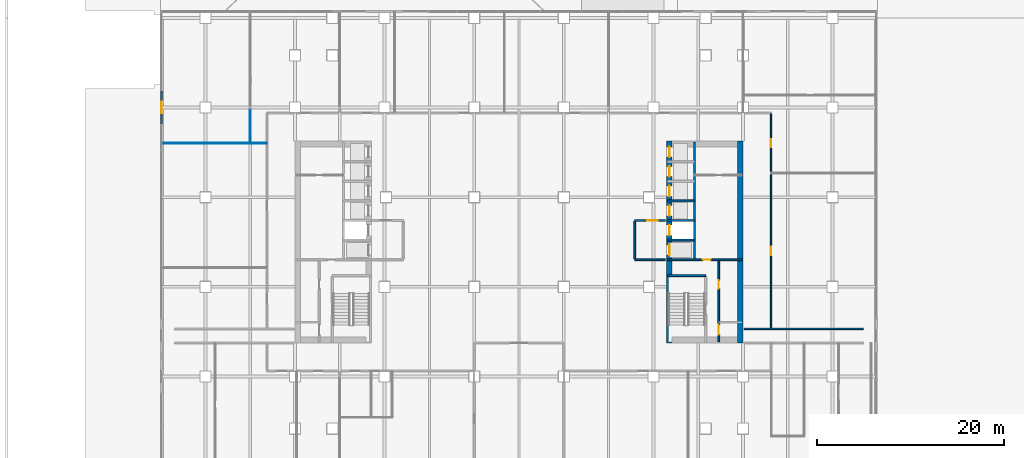
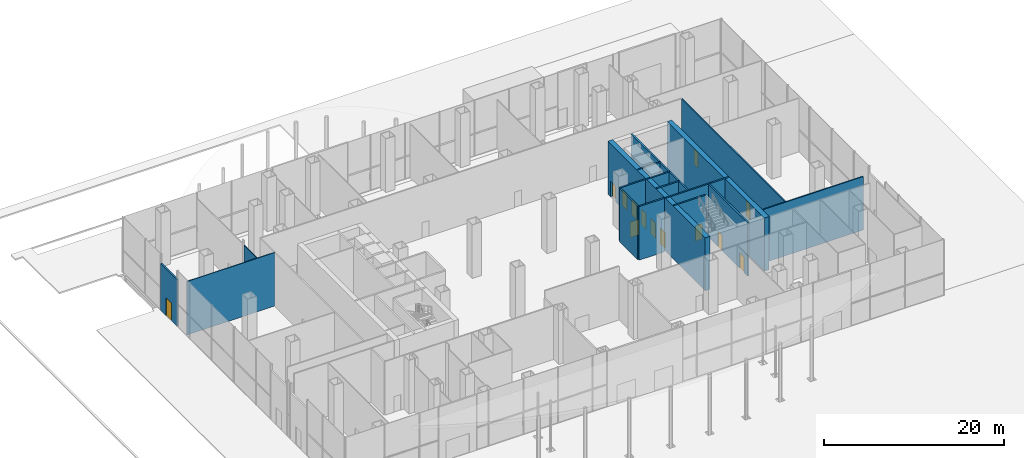
# One storey, part 28 of 36: 17 walls, 13 doors, 13 openings.
"""IFC4 building model written with IfcOpenShell, lengths in metres."""

from ifc_helpers import new_model, si_unit, direction, frame, frame_2d, origin, place, context, subcontext, project, spatial, rectangle, extrude, material, layer, layer_set, type_object, element, fill, save


model = new_model("IFC4")

# Units and contexts
model_context = context("Model", 3, precision=1e-05, world=origin(), true_north=direction((0.0, 1.0)))
body_context = subcontext(model_context, "Body", "Model", "MODEL_VIEW")
ifc_project = project(units=[si_unit("LENGTHUNIT", "METRE"), si_unit("AREAUNIT", "SQUARE_METRE"), si_unit("VOLUMEUNIT", "CUBIC_METRE"), si_unit("PLANEANGLEUNIT", "RADIAN"), si_unit("MASSUNIT", "GRAM", prefix="KILO")], contexts=[model_context])

# Site, building, storey
site_placement = place(None, origin())
site = spatial("IfcSite", under=ifc_project, at=site_placement, CompositionType="ELEMENT")
building_placement = place(site_placement, origin())
building = spatial("IfcBuilding", under=site, at=building_placement, Name="Cobrizo Arcos Hotel Tower", CompositionType="ELEMENT")
storey_placement = place(building_placement, origin())
storey = spatial("IfcBuildingStorey", under=building, at=storey_placement, Name="L00", CompositionType="ELEMENT", Elevation=0.0)

# Wall
ifc_material_1 = material(Name="Gypsum board partition")
ifc_layer_1 = layer(ifc_material_1, 0.14990234375)
ifc_layer_set_1 = layer_set([ifc_layer_1], Name="Corridor wall EI 60 150")
wall_type_1 = type_object("IfcWallType", Name="Corridor wall EI 60 150", PredefinedType="PARTITIONING", material=ifc_layer_set_1)
wall_1_placement = place(storey_placement, frame((24.1201171875, -9.300048828125, 0.0), z_axis=(0.0, 0.0, 1.0), x_axis=(1.0, 0.0, 0.0)))
element("IfcWall", 1, at=wall_1_placement, inside=storey, type_object=wall_type_1, Name="Partition 010", PredefinedType="PARTITIONING", context=body_context, shape_type="SweptSolid", body=[
    extrude(rectangle(XDim=12.77978515625, YDim=0.14990234375, at=frame_2d((6.389892578125, 0.0))), origin(), (0.0, 0.0, 1.0), 7.25),
])

# Wall, openings, doors
wall_2_placement = place(storey_placement, frame((27.0, -9.22509765625, 0.0), z_axis=(0.0, 0.0, 1.0), x_axis=(0.0, 1.0, 0.0)))
wall_2 = element("IfcWall", 2, at=wall_2_placement, inside=storey, type_object=wall_type_1, Name="Partition 080", PredefinedType="PARTITIONING", context=body_context, shape_type="SweptSolid", body=[
    extrude(rectangle(XDim=22.9501953125, YDim=0.14990234375, at=frame_2d((11.47509765625, 0.0))), origin(), (0.0, 0.0, 1.0), 7.25),
])
opening_1_placement = place(wall_2_placement, frame((7.800048828125, 0.0, 0.0)))
opening_1 = element("IfcOpeningElement", 3, at=opening_1_placement, cuts=wall_2, Name="Opening RD-14", PredefinedType="OPENING", context=body_context, shape_type="SweptSolid", body=[
    extrude(rectangle(XDim=0.89990234375, YDim=2.10009765625, at=frame_2d((0.449951171875, 1.050048828125))), frame((0.0, 0.0869140625, 0.0), z_axis=(0.0, -1.0, 0.0), x_axis=(1.0, 0.0, 0.0)), (0.0, 0.0, 1.0), 0.173828125),
])
opening_2_placement = place(wall_2_placement, frame((19.35009765625, 0.0, 0.0)))
opening_2 = element("IfcOpeningElement", 4, at=opening_2_placement, cuts=wall_2, Name="Opening RD-16", PredefinedType="OPENING", context=body_context, shape_type="SweptSolid", body=[
    extrude(rectangle(XDim=0.89990234375, YDim=2.10009765625, at=frame_2d((0.449951171875, 1.050048828125))), frame((0.0, 0.0869140625, 0.0), z_axis=(0.0, -1.0, 0.0), x_axis=(1.0, 0.0, 0.0)), (0.0, 0.0, 1.0), 0.173828125),
])
ifc_material_2 = material(Name="Timber door leaf", Category="wood")
door_type_1 = type_object("IfcDoorType", Name="Room door FD30 900x2100", OperationType="SINGLE_SWING_LEFT", PredefinedType="DOOR", material=ifc_material_2)
door_1_placement = place(opening_1_placement, origin())
door_1 = element("IfcDoor", 5, at=door_1_placement, inside=storey, type_object=door_type_1, Name="Door RD-14", OperationType="SINGLE_SWING_RIGHT", OverallHeight=2.10009765625, OverallWidth=0.89990234375, PredefinedType="DOOR", context=body_context, shape_type="SweptSolid", body=[
    extrude(rectangle(XDim=0.89990234375, YDim=2.10009765625, at=frame_2d((0.449951171875, 1.050048828125))), frame((0.0, 0.02490234375, 0.0), z_axis=(0.0, -1.0, 0.0), x_axis=(1.0, 0.0, 0.0)), (0.0, 0.0, 1.0), 0.050048828125),
])
fill(opening_1, door_1)
door_2_placement = place(opening_2_placement, origin())
door_2 = element("IfcDoor", 6, at=door_2_placement, inside=storey, type_object=door_type_1, Name="Door RD-16", OperationType="SINGLE_SWING_RIGHT", OverallHeight=2.10009765625, OverallWidth=0.89990234375, PredefinedType="DOOR", context=body_context, shape_type="SweptSolid", body=[
    extrude(rectangle(XDim=0.89990234375, YDim=2.10009765625, at=frame_2d((0.449951171875, 1.050048828125))), frame((0.0, 0.02490234375, 0.0), z_axis=(0.0, -1.0, 0.0), x_axis=(1.0, 0.0, 0.0)), (0.0, 0.0, 1.0), 0.050048828125),
])
fill(opening_2, door_2)

# Wall, opening, door
ifc_material_3 = material(Name="Aluminium 6063-T6 anodised pale", Category="aluminium")
ifc_layer_2 = layer(ifc_material_3, 0.199951171875)
ifc_layer_set_2 = layer_set([ifc_layer_2], Name="EW-2 shopfront wall")
wall_type_2 = type_object("IfcWallType", Name="EW-2 shopfront wall", PredefinedType="SOLIDWALL", material=ifc_layer_set_2)
wall_3_placement = place(storey_placement, frame((-38.300048828125, 12.60009765625, 0.0), z_axis=(0.0, 0.0, 1.0), x_axis=(0.0, 1.0, 0.0)))
wall_3 = element("IfcWall", 7, at=wall_3_placement, inside=storey, type_object=wall_type_2, Name="Entrance wall L00 W", PredefinedType="SOLIDWALL", context=body_context, shape_type="SweptSolid", body=[
    extrude(rectangle(XDim=3.599853515625, YDim=0.199951171875, at=frame_2d((1.7998046875, 0.0))), origin(), (0.0, 0.0, 1.0), 6.322998046875),
])
opening_3_placement = place(wall_3_placement, frame((1.199951171875, 0.0, 0.0)))
opening_3 = element("IfcOpeningElement", 8, at=opening_3_placement, cuts=wall_3, Name="Opening E-06", PredefinedType="OPENING", context=body_context, shape_type="SweptSolid", body=[
    extrude(rectangle(XDim=1.199951171875, YDim=2.39990234375, at=frame_2d((0.60009765625, 1.199951171875))), frame((0.0, 0.112060546875, 0.0), z_axis=(0.0, -1.0, 0.0), x_axis=(1.0, 0.0, 0.0)), (0.0, 0.0, 1.0), 0.223876953125),
])
ifc_material_4 = material(Name="Aluminium 6063-T6 and clear laminated glass", Category="aluminium")
door_type_2 = type_object("IfcDoorType", Name="D-X1 stair discharge door 1200x2400", OperationType="SINGLE_SWING_LEFT", PredefinedType="DOOR", material=ifc_material_4)
door_3_placement = place(opening_3_placement, origin())
door_3 = element("IfcDoor", 9, at=door_3_placement, inside=storey, type_object=door_type_2, Name="Entrance wall L00 W door E-06", OperationType="SINGLE_SWING_LEFT", OverallHeight=2.39990234375, OverallWidth=1.199951171875, PredefinedType="DOOR", context=body_context, shape_type="SweptSolid", body=[
    extrude(rectangle(XDim=1.199951171875, YDim=2.39990234375, at=frame_2d((0.60009765625, 1.199951171875))), frame((0.0, 0.02490234375, 0.0), z_axis=(0.0, -1.0, 0.0), x_axis=(1.0, 0.0, 0.0)), (0.0, 0.0, 1.0), 0.050048828125),
])
fill(opening_3, door_3)

# Walls
ifc_layer_3 = layer(ifc_material_1, 0.10009765625)
ifc_layer_set_3 = layer_set([ifc_layer_3], Name="Partition EI 30 100")
wall_type_3 = type_object("IfcWallType", Name="Partition EI 30 100", PredefinedType="PARTITIONING", material=ifc_layer_set_3)
wall_4_placement = place(storey_placement, frame((-38.280029296875, 10.60009765625, 0.0), z_axis=(0.0, 0.0, 1.0), x_axis=(1.0, 0.0, 0.0)))
element("IfcWall", 10, at=wall_4_placement, inside=storey, type_object=wall_type_3, Name="Partition 035", PredefinedType="PARTITIONING", context=body_context, shape_type="SweptSolid", body=[
    extrude(rectangle(XDim=11.280029296875, YDim=0.10009765625, at=frame_2d((5.64013671875, 0.0))), origin(), (0.0, 0.0, 1.0), 7.25),
])
wall_5_placement = place(storey_placement, frame((-28.800048828125, 10.64990234375, 0.0), z_axis=(0.0, 0.0, 1.0), x_axis=(0.0, 1.0, 0.0)))
element("IfcWall", 11, at=wall_5_placement, inside=storey, type_object=wall_type_3, Name="Partition 039", PredefinedType="PARTITIONING", context=body_context, shape_type="SweptSolid", body=[
    extrude(rectangle(XDim=3.59619140625, YDim=0.10009765625, at=frame_2d((1.798095703125, 0.0))), origin(), (0.0, 0.0, 1.0), 6.633056640625),
])

# Wall, openings, doors
ifc_material_5 = material(Name="Concrete f'c 60 MPa", Category="concrete")
ifc_layer_4 = layer(ifc_material_5, 0.60009765625)
ifc_layer_set_4 = layer_set([ifc_layer_4], Name="RC core wall 600 f'c 60")
wall_type_4 = type_object("IfcWallType", Name="RC core wall 600 f'c 60", PredefinedType="SHEAR", material=ifc_layer_set_4)
wall_6_placement = place(storey_placement, frame((16.10009765625, -10.800048828125, 0.0), z_axis=(0.0, 0.0, 1.0), x_axis=(0.0, 1.0, 0.0)))
wall_6 = element("IfcWall", 12, at=wall_6_placement, inside=storey, type_object=wall_type_4, Name="Core wall CW1, east core, inner face, L00", PredefinedType="SHEAR", context=body_context, shape_type="SweptSolid", body=[
    extrude(rectangle(XDim=21.60009765625, YDim=0.60009765625, at=frame_2d((10.800048828125, 0.0))), origin(), (0.0, 0.0, 1.0), 7.199951171875),
])
opening_4_placement = place(wall_6_placement, frame((9.39990234375, 0.0, 0.0)))
opening_4 = element("IfcOpeningElement", 13, at=opening_4_placement, cuts=wall_6, Name="Opening LD-07", PredefinedType="OPENING", context=body_context, shape_type="SweptSolid", body=[
    extrude(rectangle(XDim=1.10009765625, YDim=2.10009765625, at=frame_2d((0.550048828125, 1.050048828125))), frame((0.0, 0.31201171875, 0.0), z_axis=(0.0, -1.0, 0.0), x_axis=(1.0, 0.0, 0.0)), (0.0, 0.0, 1.0), 0.6240234375),
])
opening_5_placement = place(wall_6_placement, frame((11.5, 0.0, 0.0)))
opening_5 = element("IfcOpeningElement", 14, at=opening_5_placement, cuts=wall_6, Name="Opening LD-08", PredefinedType="OPENING", context=body_context, shape_type="SweptSolid", body=[
    extrude(rectangle(XDim=1.10009765625, YDim=2.10009765625, at=frame_2d((0.550048828125, 1.050048828125))), frame((0.0, 0.31201171875, 0.0), z_axis=(0.0, -1.0, 0.0), x_axis=(1.0, 0.0, 0.0)), (0.0, 0.0, 1.0), 0.6240234375),
])
opening_6_placement = place(wall_6_placement, frame((13.60009765625, 0.0, 0.0)))
opening_6 = element("IfcOpeningElement", 15, at=opening_6_placement, cuts=wall_6, Name="Opening LD-09", PredefinedType="OPENING", context=body_context, shape_type="SweptSolid", body=[
    extrude(rectangle(XDim=1.10009765625, YDim=2.10009765625, at=frame_2d((0.550048828125, 1.050048828125))), frame((0.0, 0.31201171875, 0.0), z_axis=(0.0, -1.0, 0.0), x_axis=(1.0, 0.0, 0.0)), (0.0, 0.0, 1.0), 0.6240234375),
])
opening_7_placement = place(wall_6_placement, frame((15.699951171875, 0.0, 0.0)))
opening_7 = element("IfcOpeningElement", 16, at=opening_7_placement, cuts=wall_6, Name="Opening LD-10", PredefinedType="OPENING", context=body_context, shape_type="SweptSolid", body=[
    extrude(rectangle(XDim=1.10009765625, YDim=2.10009765625, at=frame_2d((0.550048828125, 1.050048828125))), frame((0.0, 0.31201171875, 0.0), z_axis=(0.0, -1.0, 0.0), x_axis=(1.0, 0.0, 0.0)), (0.0, 0.0, 1.0), 0.6240234375),
])
opening_8_placement = place(wall_6_placement, frame((17.800048828125, 0.0, 0.0)))
opening_8 = element("IfcOpeningElement", 17, at=opening_8_placement, cuts=wall_6, Name="Opening LD-11", PredefinedType="OPENING", context=body_context, shape_type="SweptSolid", body=[
    extrude(rectangle(XDim=1.10009765625, YDim=2.10009765625, at=frame_2d((0.550048828125, 1.050048828125))), frame((0.0, 0.31201171875, 0.0), z_axis=(0.0, -1.0, 0.0), x_axis=(1.0, 0.0, 0.0)), (0.0, 0.0, 1.0), 0.6240234375),
])
opening_9_placement = place(wall_6_placement, frame((19.89990234375, 0.0, 0.0)))
opening_9 = element("IfcOpeningElement", 18, at=opening_9_placement, cuts=wall_6, Name="Opening LD-12", PredefinedType="OPENING", context=body_context, shape_type="SweptSolid", body=[
    extrude(rectangle(XDim=1.10009765625, YDim=2.10009765625, at=frame_2d((0.550048828125, 1.050048828125))), frame((0.0, 0.31201171875, 0.0), z_axis=(0.0, -1.0, 0.0), x_axis=(1.0, 0.0, 0.0)), (0.0, 0.0, 1.0), 0.6240234375),
])
ifc_material_6 = material(Name="Steel door leaf", Category="steel")
door_type_3 = type_object("IfcDoorType", Name="Lift landing door 1100x2100", OperationType="SLIDING_TO_LEFT", PredefinedType="DOOR", material=ifc_material_6)
door_4_placement = place(opening_4_placement, origin())
door_4 = element("IfcDoor", 19, at=door_4_placement, inside=storey, type_object=door_type_3, Name="Lift landing door LD-07", OperationType="SLIDING_TO_LEFT", OverallHeight=2.10009765625, OverallWidth=1.10009765625, PredefinedType="DOOR", context=body_context, shape_type="SweptSolid", body=[
    extrude(rectangle(XDim=1.10009765625, YDim=2.10009765625, at=frame_2d((0.550048828125, 1.050048828125))), frame((0.0, 0.02490234375, 0.0), z_axis=(0.0, -1.0, 0.0), x_axis=(1.0, 0.0, 0.0)), (0.0, 0.0, 1.0), 0.050048828125),
])
fill(opening_4, door_4)
door_5_placement = place(opening_5_placement, origin())
door_5 = element("IfcDoor", 20, at=door_5_placement, inside=storey, type_object=door_type_3, Name="Lift landing door LD-08", OperationType="SLIDING_TO_LEFT", OverallHeight=2.10009765625, OverallWidth=1.10009765625, PredefinedType="DOOR", context=body_context, shape_type="SweptSolid", body=[
    extrude(rectangle(XDim=1.10009765625, YDim=2.10009765625, at=frame_2d((0.550048828125, 1.050048828125))), frame((0.0, 0.02490234375, 0.0), z_axis=(0.0, -1.0, 0.0), x_axis=(1.0, 0.0, 0.0)), (0.0, 0.0, 1.0), 0.050048828125),
])
fill(opening_5, door_5)
door_6_placement = place(opening_6_placement, origin())
door_6 = element("IfcDoor", 21, at=door_6_placement, inside=storey, type_object=door_type_3, Name="Lift landing door LD-09", OperationType="SLIDING_TO_LEFT", OverallHeight=2.10009765625, OverallWidth=1.10009765625, PredefinedType="DOOR", context=body_context, shape_type="SweptSolid", body=[
    extrude(rectangle(XDim=1.10009765625, YDim=2.10009765625, at=frame_2d((0.550048828125, 1.050048828125))), frame((0.0, 0.02490234375, 0.0), z_axis=(0.0, -1.0, 0.0), x_axis=(1.0, 0.0, 0.0)), (0.0, 0.0, 1.0), 0.050048828125),
])
fill(opening_6, door_6)
door_7_placement = place(opening_7_placement, origin())
door_7 = element("IfcDoor", 22, at=door_7_placement, inside=storey, type_object=door_type_3, Name="Lift landing door LD-10", OperationType="SLIDING_TO_LEFT", OverallHeight=2.10009765625, OverallWidth=1.10009765625, PredefinedType="DOOR", context=body_context, shape_type="SweptSolid", body=[
    extrude(rectangle(XDim=1.10009765625, YDim=2.10009765625, at=frame_2d((0.550048828125, 1.050048828125))), frame((0.0, 0.02490234375, 0.0), z_axis=(0.0, -1.0, 0.0), x_axis=(1.0, 0.0, 0.0)), (0.0, 0.0, 1.0), 0.050048828125),
])
fill(opening_7, door_7)
door_8_placement = place(opening_8_placement, origin())
door_8 = element("IfcDoor", 23, at=door_8_placement, inside=storey, type_object=door_type_3, Name="Lift landing door LD-11", OperationType="SLIDING_TO_LEFT", OverallHeight=2.10009765625, OverallWidth=1.10009765625, PredefinedType="DOOR", context=body_context, shape_type="SweptSolid", body=[
    extrude(rectangle(XDim=1.10009765625, YDim=2.10009765625, at=frame_2d((0.550048828125, 1.050048828125))), frame((0.0, 0.02490234375, 0.0), z_axis=(0.0, -1.0, 0.0), x_axis=(1.0, 0.0, 0.0)), (0.0, 0.0, 1.0), 0.050048828125),
])
fill(opening_8, door_8)
door_9_placement = place(opening_9_placement, origin())
door_9 = element("IfcDoor", 24, at=door_9_placement, inside=storey, type_object=door_type_3, Name="Lift landing door LD-12", OperationType="SLIDING_TO_LEFT", OverallHeight=2.10009765625, OverallWidth=1.10009765625, PredefinedType="DOOR", context=body_context, shape_type="SweptSolid", body=[
    extrude(rectangle(XDim=1.10009765625, YDim=2.10009765625, at=frame_2d((0.550048828125, 1.050048828125))), frame((0.0, 0.02490234375, 0.0), z_axis=(0.0, -1.0, 0.0), x_axis=(1.0, 0.0, 0.0)), (0.0, 0.0, 1.0), 0.050048828125),
])
fill(opening_9, door_9)

# Walls
wall_7_placement = place(storey_placement, frame((23.699951171875, -10.800048828125, 0.0), z_axis=(0.0, 0.0, 1.0), x_axis=(0.0, 1.0, 0.0)))
element("IfcWall", 25, at=wall_7_placement, inside=storey, type_object=wall_type_4, Name="Core wall CW1, east core, outer face, L00", PredefinedType="SHEAR", context=body_context, shape_type="SweptSolid", body=[
    extrude(rectangle(XDim=21.60009765625, YDim=0.60009765625, at=frame_2d((10.800048828125, 0.0))), origin(), (0.0, 0.0, 1.0), 7.199951171875),
])
ifc_layer_5 = layer(ifc_material_1, 0.199951171875)
ifc_layer_set_5 = layer_set([ifc_layer_5], Name="Shaft wall EI 120 200")
wall_type_5 = type_object("IfcWallType", Name="Shaft wall EI 120 200", PredefinedType="PARTITIONING", material=ifc_layer_set_5)
wall_8_placement = place(storey_placement, frame((12.39990234375, -1.89990234375, 0.0), z_axis=(0.0, 0.0, 1.0), x_axis=(1.0, 0.0, 0.0)))
element("IfcWall", 26, at=wall_8_placement, inside=storey, type_object=wall_type_5, Name="Partition 018", PredefinedType="PARTITIONING", context=body_context, shape_type="SweptSolid", body=[
    extrude(rectangle(XDim=3.280029296875, YDim=0.199951171875, at=frame_2d((1.64013671875, 0.0))), origin(), (0.0, 0.0, 1.0), 7.25),
])

# Wall, opening, door
wall_9_placement = place(storey_placement, frame((15.919921875, -1.89990234375, 0.0), z_axis=(0.0, 0.0, 1.0), x_axis=(1.0, 0.0, 0.0)))
wall_9 = element("IfcWall", 27, at=wall_9_placement, inside=storey, type_object=wall_type_5, Name="Partition 019", PredefinedType="PARTITIONING", context=body_context, shape_type="SweptSolid", body=[
    extrude(rectangle(XDim=7.9599609375, YDim=0.199951171875, at=frame_2d((3.97998046875, 0.0))), origin(), (0.0, 0.0, 1.0), 7.199951171875),
])
opening_10_placement = place(wall_9_placement, frame((3.739990234375, 0.0, 0.0)))
opening_10 = element("IfcOpeningElement", 28, at=opening_10_placement, cuts=wall_9, Name="Opening RD-04", PredefinedType="OPENING", context=body_context, shape_type="SweptSolid", body=[
    extrude(rectangle(XDim=0.89990234375, YDim=2.10009765625, at=frame_2d((0.449951171875, 1.050048828125))), frame((0.0, 0.112060546875, 0.0), z_axis=(0.0, -1.0, 0.0), x_axis=(1.0, 0.0, 0.0)), (0.0, 0.0, 1.0), 0.223876953125),
])
door_10_placement = place(opening_10_placement, origin())
door_10 = element("IfcDoor", 29, at=door_10_placement, inside=storey, type_object=door_type_1, Name="Door RD-04", OperationType="SINGLE_SWING_LEFT", OverallHeight=2.10009765625, OverallWidth=0.89990234375, PredefinedType="DOOR", context=body_context, shape_type="SweptSolid", body=[
    extrude(rectangle(XDim=0.89990234375, YDim=2.10009765625, at=frame_2d((0.449951171875, 1.050048828125))), frame((0.0, 0.02490234375, 0.0), z_axis=(0.0, -1.0, 0.0), x_axis=(1.0, 0.0, 0.0)), (0.0, 0.0, 1.0), 0.050048828125),
])
fill(opening_10, door_10)

# Wall
wall_10_placement = place(storey_placement, frame((15.919921875, 0.199951171875, 0.0), z_axis=(0.0, 0.0, 1.0), x_axis=(1.0, 0.0, 0.0)))
element("IfcWall", 30, at=wall_10_placement, inside=storey, type_object=wall_type_5, Name="Partition 021", PredefinedType="PARTITIONING", context=body_context, shape_type="SweptSolid", body=[
    extrude(rectangle(XDim=2.880126953125, YDim=0.199951171875, at=frame_2d((1.43994140625, 0.0))), origin(), (0.0, 0.0, 1.0), 7.199951171875),
])

# Wall, opening, door
wall_11_placement = place(storey_placement, frame((12.39990234375, 2.300048828125, 0.0), z_axis=(0.0, 0.0, 1.0), x_axis=(1.0, 0.0, 0.0)))
wall_11 = element("IfcWall", 31, at=wall_11_placement, inside=storey, type_object=wall_type_5, Name="Partition 024", PredefinedType="PARTITIONING", context=body_context, shape_type="SweptSolid", body=[
    extrude(rectangle(XDim=3.280029296875, YDim=0.199951171875, at=frame_2d((1.64013671875, 0.0))), origin(), (0.0, 0.0, 1.0), 7.25),
])
opening_11_placement = place(wall_11_placement, frame((1.340087890625, 0.0, 0.0)))
opening_11 = element("IfcOpeningElement", 32, at=opening_11_placement, cuts=wall_11, Name="Opening FD-02", PredefinedType="OPENING", context=body_context, shape_type="SweptSolid", body=[
    extrude(rectangle(XDim=1.10009765625, YDim=2.10009765625, at=frame_2d((0.550048828125, 1.050048828125))), frame((0.0, 0.112060546875, 0.0), z_axis=(0.0, -1.0, 0.0), x_axis=(1.0, 0.0, 0.0)), (0.0, 0.0, 1.0), 0.223876953125),
])
door_type_4 = type_object("IfcDoorType", Name="Fire door FD60 1100x2100", OperationType="SINGLE_SWING_LEFT", PredefinedType="DOOR", material=ifc_material_6)
door_11_placement = place(opening_11_placement, origin())
door_11 = element("IfcDoor", 33, at=door_11_placement, inside=storey, type_object=door_type_4, Name="Door FD-02", OperationType="SINGLE_SWING_LEFT", OverallHeight=2.10009765625, OverallWidth=1.10009765625, PredefinedType="DOOR", context=body_context, shape_type="SweptSolid", body=[
    extrude(rectangle(XDim=1.10009765625, YDim=2.10009765625, at=frame_2d((0.550048828125, 1.050048828125))), frame((0.0, 0.02490234375, 0.0), z_axis=(0.0, -1.0, 0.0), x_axis=(1.0, 0.0, 0.0)), (0.0, 0.0, 1.0), 0.050048828125),
])
fill(opening_11, door_11)

# Walls
for number, where, z_axis, x_axis, name in (
    (34, (15.919921875, 2.300048828125, 0.0), (0.0, 0.0, 1.0), (1.0, 0.0, 0.0), "Partition 025"),
    (35, (15.919921875, 4.39990234375, 0.0), (0.0, 0.0, 1.0), (1.0, 0.0, 0.0), "Partition 027"),
):
    element("IfcWall", number, at=place(storey_placement, frame(where, z_axis=z_axis, x_axis=x_axis)), inside=storey, type_object=wall_type_5, Name=name, PredefinedType="PARTITIONING", context=body_context, shape_type="SweptSolid", body=[
        extrude(rectangle(XDim=2.880126953125, YDim=0.199951171875, at=frame_2d((1.43994140625, 0.0))), origin(), (0.0, 0.0, 1.0), 7.199951171875),
    ])
wall_12_placement = place(storey_placement, frame((12.39990234375, -1.800048828125, 0.0), z_axis=(0.0, 0.0, 1.0), x_axis=(0.0, 1.0, 0.0)))
element("IfcWall", 36, at=wall_12_placement, inside=storey, type_object=wall_type_5, Name="Partition 070", PredefinedType="PARTITIONING", context=body_context, shape_type="SweptSolid", body=[
    extrude(rectangle(XDim=4.0, YDim=0.199951171875, at=frame_2d((2.0, 0.0))), origin(), (0.0, 0.0, 1.0), 7.25),
])
wall_13_placement = place(storey_placement, frame((18.800048828125, -1.800048828125, 0.0), z_axis=(0.0, 0.0, 1.0), x_axis=(0.0, 1.0, 0.0)))
element("IfcWall", 37, at=wall_13_placement, inside=storey, type_object=wall_type_5, Name="Partition 072", PredefinedType="PARTITIONING", context=body_context, shape_type="SweptSolid", body=[
    extrude(rectangle(XDim=12.47998046875, YDim=0.199951171875, at=frame_2d((6.239990234375, 0.0))), origin(), (0.0, 0.0, 1.0), 7.199951171875),
])

# Wall, openings, doors
wall_14_placement = place(storey_placement, frame((21.39990234375, -10.679931640625, 0.0), z_axis=(0.0, 0.0, 1.0), x_axis=(0.0, 1.0, 0.0)))
wall_14 = element("IfcWall", 38, at=wall_14_placement, inside=storey, type_object=wall_type_5, Name="Partition 074", PredefinedType="PARTITIONING", context=body_context, shape_type="SweptSolid", body=[
    extrude(rectangle(XDim=8.679931640625, YDim=0.199951171875, at=frame_2d((4.33984375, 0.0))), origin(), (0.0, 0.0, 1.0), 7.199951171875),
])
opening_12_placement = place(wall_14_placement, frame((5.659912109375, 0.0, 0.0)))
opening_12 = element("IfcOpeningElement", 39, at=opening_12_placement, cuts=wall_14, Name="Opening RD-03", PredefinedType="OPENING", context=body_context, shape_type="SweptSolid", body=[
    extrude(rectangle(XDim=0.89990234375, YDim=2.10009765625, at=frame_2d((0.449951171875, 1.050048828125))), frame((0.0, 0.112060546875, 0.0), z_axis=(0.0, -1.0, 0.0), x_axis=(1.0, 0.0, 0.0)), (0.0, 0.0, 1.0), 0.223876953125),
])
opening_13_placement = place(wall_14_placement, frame((0.739990234375, 0.0, 0.0)))
opening_13 = element("IfcOpeningElement", 40, at=opening_13_placement, cuts=wall_14, Name="Opening FD-03", PredefinedType="OPENING", context=body_context, shape_type="SweptSolid", body=[
    extrude(rectangle(XDim=1.10009765625, YDim=2.10009765625, at=frame_2d((0.550048828125, 1.050048828125))), frame((0.0, 0.112060546875, 0.0), z_axis=(0.0, -1.0, 0.0), x_axis=(1.0, 0.0, 0.0)), (0.0, 0.0, 1.0), 0.223876953125),
])
door_12_placement = place(opening_13_placement, origin())
door_12 = element("IfcDoor", 41, at=door_12_placement, inside=storey, type_object=door_type_4, Name="Door FD-03", OperationType="SINGLE_SWING_RIGHT", OverallHeight=2.10009765625, OverallWidth=1.10009765625, PredefinedType="DOOR", context=body_context, shape_type="SweptSolid", body=[
    extrude(rectangle(XDim=1.10009765625, YDim=2.10009765625, at=frame_2d((0.550048828125, 1.050048828125))), frame((0.0, 0.02490234375, 0.0), z_axis=(0.0, -1.0, 0.0), x_axis=(1.0, 0.0, 0.0)), (0.0, 0.0, 1.0), 0.050048828125),
])
fill(opening_13, door_12)
door_13_placement = place(opening_12_placement, origin())
door_13 = element("IfcDoor", 42, at=door_13_placement, inside=storey, type_object=door_type_1, Name="Door RD-03", OperationType="SINGLE_SWING_RIGHT", OverallHeight=2.10009765625, OverallWidth=0.89990234375, PredefinedType="DOOR", context=body_context, shape_type="SweptSolid", body=[
    extrude(rectangle(XDim=0.89990234375, YDim=2.10009765625, at=frame_2d((0.449951171875, 1.050048828125))), frame((0.0, 0.02490234375, 0.0), z_axis=(0.0, -1.0, 0.0), x_axis=(1.0, 0.0, 0.0)), (0.0, 0.0, 1.0), 0.050048828125),
])
fill(opening_12, door_13)

# Wall
ifc_material_7 = material(Name="Concrete f'c 40 MPa", Category="concrete")
ifc_layer_6 = layer(ifc_material_7, 0.199951171875)
ifc_layer_set_6 = layer_set([ifc_layer_6], Name="Stair shaft wall 200")
wall_type_6 = type_object("IfcWallType", Name="Stair shaft wall 200", PredefinedType="SHEAR", material=ifc_layer_set_6)
wall_15_placement = place(storey_placement, frame((15.919921875, -3.60009765625, 0.0), z_axis=(0.0, 0.0, 1.0), x_axis=(1.0, 0.0, 0.0)))
element("IfcWall", 43, at=wall_15_placement, inside=storey, type_object=wall_type_6, Name="Stair shaft wall E", PredefinedType="SHEAR", context=body_context, shape_type="SweptSolid", body=[
    extrude(rectangle(XDim=4.080078125, YDim=0.199951171875, at=frame_2d((2.0400390625, 0.0))), origin(), (0.0, 0.0, 1.0), 7.199951171875),
])

save(model, "model.ifc")
